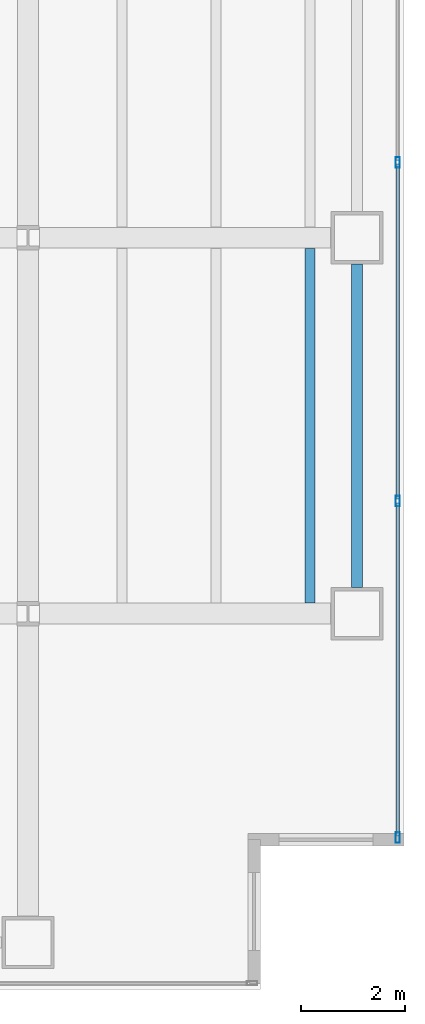
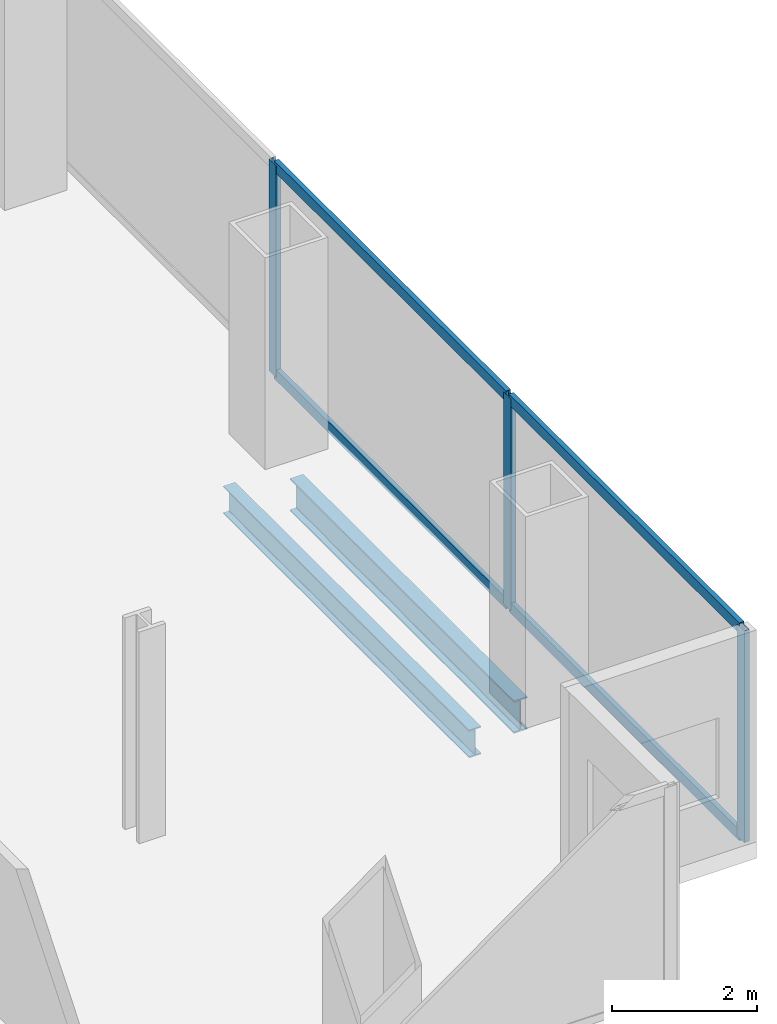
# One storey, part 10 of 23: 7 members, 2 beams, 1 element without a shape of its own.
"""IFC4 building model written with IfcOpenShell, lengths in metres."""

from ifc_helpers import new_model, si_unit, direction, frame, origin, origin_2d, place, context, subcontext, project, spatial, hollow_rectangle, i_section, extrude, material, material_profile, profile_set, type_object, element, aggregate, save


model = new_model("IFC4")

# Units and contexts
model_context = context("Model", 3, precision=1e-05, world=origin(), true_north=direction((0.0, 1.0)))
body_context = subcontext(model_context, "Body", "Model", "MODEL_VIEW")
ifc_project = project(units=[si_unit("LENGTHUNIT", "METRE"), si_unit("AREAUNIT", "SQUARE_METRE"), si_unit("VOLUMEUNIT", "CUBIC_METRE"), si_unit("PLANEANGLEUNIT", "RADIAN"), si_unit("MASSUNIT", "GRAM", prefix="KILO")], contexts=[model_context])

# Site, building, storey
site_placement = place(None, origin())
site = spatial("IfcSite", under=ifc_project, at=site_placement, CompositionType="ELEMENT")
building_placement = place(site_placement, origin())
building = spatial("IfcBuilding", under=site, at=building_placement, Name="Cobrela Telecom Tower", CompositionType="ELEMENT")
storey_placement = place(building_placement, frame((0.0, 0.0, 73.5)))
storey = spatial("IfcBuildingStorey", under=building, at=storey_placement, Name="L18", CompositionType="ELEMENT", Elevation=73.5)

# Beams
ifc_material_1 = material(Name="Steel ASTM A992 Grade 50", Category="steel")
ifc_material_profile_1 = material_profile(ifc_material_1, i_section(OverallWidth=0.193115234375, OverallDepth=0.467041015625, WebThickness=0.011474609375, FlangeThickness=0.01904296875, FilletRadius=0.012939453125, at=origin_2d()), Name="W18X65")
ifc_profile_set_1 = profile_set([ifc_material_profile_1], Name="Steel ASTM A992 Grade 50")
beam_type_1 = type_object("IfcBeamType", Name="BM-JOIST-03", PredefinedType="JOIST", material=ifc_profile_set_1)
beam_1_placement = place(storey_placement, frame((48.60009765625, 7.404541015625, -0.513427734375), z_axis=(0.0, 1.0, 0.0), x_axis=(-1.0, 0.0, 0.0)))
element("IfcBeam", 1, at=beam_1_placement, inside=storey, type_object=beam_type_1, Name="L18 Secondary Composite Floor Beam J63", PredefinedType="JOIST", context=body_context, shape_type="SweptSolid", body=[
    extrude(i_section(OverallWidth=0.193115234375, OverallDepth=0.467041015625, WebThickness=0.011474609375, FlangeThickness=0.01904296875, FilletRadius=0.012939453125, at=origin_2d()), origin(), (0.0, 0.0, 1.0), 6.791015625),
])
ifc_material_profile_2 = material_profile(ifc_material_1, i_section(OverallWidth=0.212890625, OverallDepth=0.549072265625, WebThickness=0.0146484375, FlangeThickness=0.023681640625, FilletRadius=0.013916015625, at=origin_2d()), Name="W21X93")
ifc_profile_set_2 = profile_set([ifc_material_profile_2], Name="Steel ASTM A992 Grade 50")
beam_type_2 = type_object("IfcBeamType", Name="BM-SPAND-03", PredefinedType="SPANDREL", material=ifc_profile_set_2)
beam_2_placement = place(storey_placement, frame((49.5, 7.705078125, -0.554443359375), z_axis=(0.0, 1.0, 0.0), x_axis=(-1.0, 0.0, 0.0)))
element("IfcBeam", 2, at=beam_2_placement, inside=storey, type_object=beam_type_2, Name="L18 Perimeter Spandrel Y56", PredefinedType="SPANDREL", context=body_context, shape_type="SweptSolid", body=[
    extrude(i_section(OverallWidth=0.212890625, OverallDepth=0.549072265625, WebThickness=0.0146484375, FlangeThickness=0.023681640625, FilletRadius=0.013916015625, at=origin_2d()), origin(), (0.0, 0.0, 1.0), 6.18994140625),
])

# Curtain wall, members
ifc_material_2 = material(Name="Anodized Bronze Aluminium 6063-T6", Category="aluminium")
curtain_wall_type = type_object("IfcCurtainWallType", Name="CW-SYS-DATA", PredefinedType="USERDEFINED", material=ifc_material_2)
curtain_wall_placement = place(storey_placement, origin())
curtain_wall = element("IfcCurtainWall", 3, at=curtain_wall_placement, inside=storey, type_object=curtain_wall_type, Name="L18 Unitised Bronze Curtain Wall 14", ObjectType="UNITISED CURTAIN WALL", PredefinedType="USERDEFINED")
ifc_material_profile_3 = material_profile(ifc_material_2, hollow_rectangle(XDim=0.080078125, YDim=0.199951171875, WallThickness=0.00390625, at=origin_2d()), Name="ALU 80x200x4")
ifc_profile_set_3 = profile_set([ifc_material_profile_3], Name="Anodized Bronze Aluminium 6063-T6")
member_type_1 = type_object("IfcMemberType", Name="CW-SYS-DATA-MUL", PredefinedType="MULLION", material=ifc_profile_set_3)
member_1_placement = place(storey_placement, frame((50.280029296875, 15.84326171875, 0.0), z_axis=(0.0, 0.0, 1.0), x_axis=(1.0, 0.0, 0.0)))
member_1 = element("IfcMember", 4, at=member_1_placement, type_object=member_type_1, Name="CW-DATA mullion 2", PredefinedType="MULLION", context=body_context, shape_type="SweptSolid", body=[
    extrude(hollow_rectangle(XDim=0.080078125, YDim=0.199951171875, WallThickness=0.00390625, at=origin_2d()), origin(), (0.0, 0.0, 1.0), 3.570068359375),
])
member_2_placement = place(storey_placement, frame((50.280029296875, 9.356689453125, 0.0), z_axis=(0.0, 0.0, 1.0), x_axis=(1.0, 0.0, 0.0)))
member_2 = element("IfcMember", 5, at=member_2_placement, type_object=member_type_1, Name="CW-DATA mullion 3", PredefinedType="MULLION", context=body_context, shape_type="SweptSolid", body=[
    extrude(hollow_rectangle(XDim=0.080078125, YDim=0.199951171875, WallThickness=0.00390625, at=origin_2d()), origin(), (0.0, 0.0, 1.0), 3.570068359375),
])
member_3_placement = place(storey_placement, frame((50.280029296875, 2.909912109375, 0.0), z_axis=(0.0, 0.0, 1.0), x_axis=(1.0, 0.0, 0.0)))
member_3 = element("IfcMember", 6, at=member_3_placement, type_object=member_type_1, Name="CW-DATA mullion 4", PredefinedType="MULLION", context=body_context, shape_type="SweptSolid", body=[
    extrude(hollow_rectangle(XDim=0.080078125, YDim=0.199951171875, WallThickness=0.00390625, at=origin_2d()), origin(), (0.0, 0.0, 1.0), 3.570068359375),
])
ifc_material_profile_4 = material_profile(ifc_material_2, hollow_rectangle(XDim=0.074951171875, YDim=0.179931640625, WallThickness=0.00390625, at=origin_2d()), Name="ALU 75x180x4")
ifc_profile_set_4 = profile_set([ifc_material_profile_4], Name="Anodized Bronze Aluminium 6063-T6")
member_type_2 = type_object("IfcMemberType", Name="CW-SYS-DATA-TRN", PredefinedType="USERDEFINED", material=ifc_profile_set_4)
member_4_placement = place(storey_placement, frame((50.280029296875, 15.80322265625, 0.03759765625), z_axis=(0.0, -1.0, 0.0), x_axis=(1.0, 0.0, 0.0)))
member_4 = element("IfcMember", 7, at=member_4_placement, type_object=member_type_2, Name="CW-DATA transom 2.1", ObjectType="TRANSOM", PredefinedType="USERDEFINED", context=body_context, shape_type="SweptSolid", body=[
    extrude(hollow_rectangle(XDim=0.074951171875, YDim=0.179931640625, WallThickness=0.00390625, at=origin_2d()), origin(), (0.0, 0.0, 1.0), 6.406494140625),
])
member_5_placement = place(storey_placement, frame((50.280029296875, 15.80322265625, 3.532470703125), z_axis=(0.0, -1.0, 0.0), x_axis=(1.0, 0.0, 0.0)))
member_5 = element("IfcMember", 8, at=member_5_placement, type_object=member_type_2, Name="CW-DATA transom 2.2", ObjectType="TRANSOM", PredefinedType="USERDEFINED", context=body_context, shape_type="SweptSolid", body=[
    extrude(hollow_rectangle(XDim=0.074951171875, YDim=0.179931640625, WallThickness=0.00390625, at=origin_2d()), origin(), (0.0, 0.0, 1.0), 6.406494140625),
])
member_6_placement = place(storey_placement, frame((50.280029296875, 9.316650390625, 0.03759765625), z_axis=(0.0, -1.0, 0.0), x_axis=(1.0, 0.0, 0.0)))
member_6 = element("IfcMember", 9, at=member_6_placement, type_object=member_type_2, Name="CW-DATA transom 3.1", ObjectType="TRANSOM", PredefinedType="USERDEFINED", context=body_context, shape_type="SweptSolid", body=[
    extrude(hollow_rectangle(XDim=0.074951171875, YDim=0.179931640625, WallThickness=0.00390625, at=origin_2d()), origin(), (0.0, 0.0, 1.0), 6.36669921875),
])
member_7_placement = place(storey_placement, frame((50.280029296875, 9.316650390625, 3.532470703125), z_axis=(0.0, -1.0, 0.0), x_axis=(1.0, 0.0, 0.0)))
member_7 = element("IfcMember", 10, at=member_7_placement, type_object=member_type_2, Name="CW-DATA transom 3.2", ObjectType="TRANSOM", PredefinedType="USERDEFINED", context=body_context, shape_type="SweptSolid", body=[
    extrude(hollow_rectangle(XDim=0.074951171875, YDim=0.179931640625, WallThickness=0.00390625, at=origin_2d()), origin(), (0.0, 0.0, 1.0), 6.36669921875),
])
aggregate(curtain_wall, [member_1, member_2, member_3, member_4, member_5, member_6, member_7])

save(model, "model.ifc")
